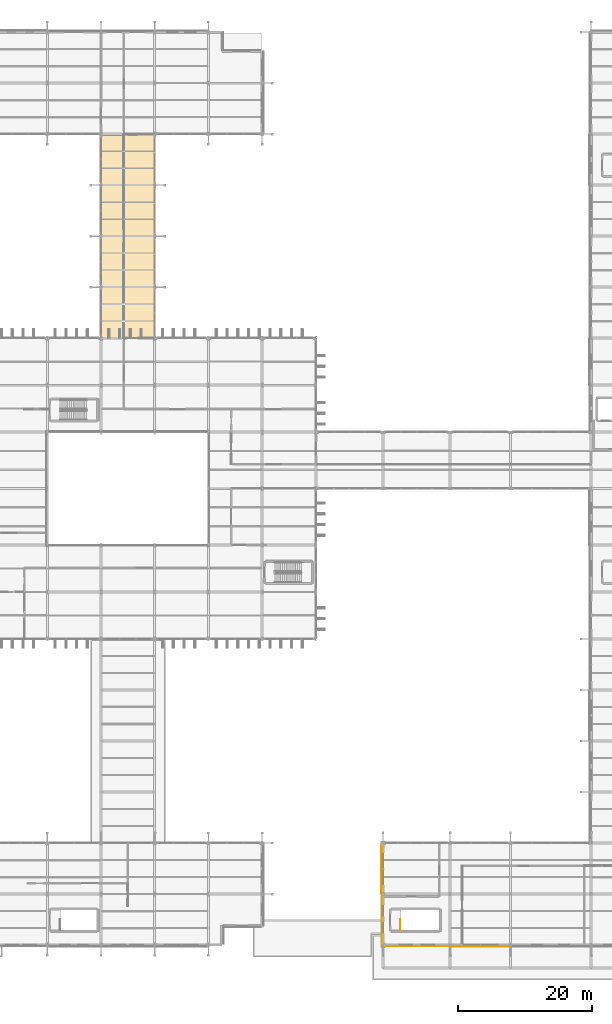
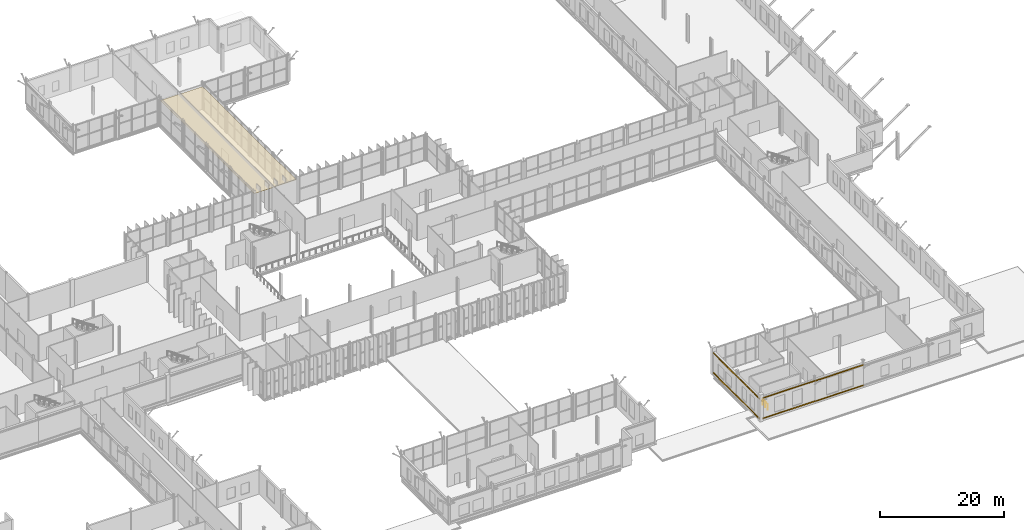
# One storey, part 141 of 147: 9 coverings, 1 railing.
"""IFC4 building model written with IfcOpenShell, lengths in metres."""

from ifc_helpers import new_model, si_unit, direction, frame, origin, origin_2d, place, context, subcontext, project, spatial, polyline, rectangle, circle, outline, extrude, material, layer, layer_set, type_object, element, save


model = new_model("IFC4")

# Units and contexts
model_context = context("Model", 3, precision=1e-05, world=origin(), true_north=direction((0.0, 1.0)))
body_context = subcontext(model_context, "Body", "Model", "MODEL_VIEW")
ifc_project = project(units=[si_unit("LENGTHUNIT", "METRE"), si_unit("AREAUNIT", "SQUARE_METRE"), si_unit("VOLUMEUNIT", "CUBIC_METRE"), si_unit("PLANEANGLEUNIT", "RADIAN"), si_unit("MASSUNIT", "GRAM", prefix="KILO")], contexts=[model_context])

# Site, building, storey
site_placement = place(None, origin())
site = spatial("IfcSite", under=ifc_project, at=site_placement, CompositionType="ELEMENT")
building_placement = place(site_placement, origin())
building = spatial("IfcBuilding", under=site, at=building_placement, Name="Vekula Escarpment Museum", CompositionType="ELEMENT")
storey_placement = place(building_placement, frame((0.0, 0.0, 7.800048828125)))
storey = spatial("IfcBuildingStorey", under=building, at=storey_placement, Name="L02", CompositionType="ELEMENT", Elevation=7.800048828125)

# Coverings
ifc_material_1 = material(Name="Polychrome limestone almasik string-course band", Category="masonry")
ifc_layer_1 = layer(ifc_material_1, 0.06005859375)
ifc_layer_set_1 = layer_set([ifc_layer_1], Name="Polychrome limestone almasik string-course band")
covering_type_1 = type_object("IfcCoveringType", Name="COV-ALM-BAND", PredefinedType="CLADDING", material=ifc_layer_set_1)
for number, where, z_axis, x_axis, name in (
    (1, (135.799072265625, 11.310546875, 0.41015625), (0.0, 0.0, 1.0), (0.0, 1.0, 0.0), "Almasik Stone String Course L02-0271"),
    (2, (135.799072265625, 11.310546875, 4.30517578125), (0.0, 0.0, 1.0), (0.0, 1.0, 0.0), "Almasik Stone String Course L02-0272"),
):
    element("IfcCovering", number, at=place(storey_placement, frame(where, z_axis=z_axis, x_axis=x_axis)), inside=storey, type_object=covering_type_1, Name=name, PredefinedType="CLADDING", context=body_context, shape_type="SweptSolid", body=[
        extrude(rectangle(XDim=7.301025390625, YDim=0.06005859375, at=origin_2d()), origin(), (0.0, 0.0, 1.0), 0.219970703125),
    ])
for number, where, z_axis, x_axis, name in (
    (3, (135.81396484375, 3.800048828125, 0.41015625), (0.0, 0.0, 1.0), (0.0, 1.0, 0.0), "Almasik Stone String Course L02-0273"),
    (4, (135.81396484375, 3.800048828125, 4.30517578125), (0.0, 0.0, 1.0), (0.0, 1.0, 0.0), "Almasik Stone String Course L02-0274"),
):
    element("IfcCovering", number, at=place(storey_placement, frame(where, z_axis=z_axis, x_axis=x_axis)), inside=storey, type_object=covering_type_1, Name=name, PredefinedType="CLADDING", context=body_context, shape_type="SweptSolid", body=[
        extrude(rectangle(XDim=7.47998046875, YDim=0.06005859375, at=origin_2d()), origin(), (0.0, 0.0, 1.0), 0.219970703125),
    ])
for number, where, z_axis, x_axis, name in (
    (5, (141.08203125, -0.176025390625, 0.41015625), (0.0, 0.0, 1.0), (1.0, 0.0, 0.0), "Almasik Stone String Course L02-0275"),
    (6, (141.08203125, -0.176025390625, 4.4150390625), (0.0, 0.0, 1.0), (1.0, 0.0, 0.0), "Almasik Stone String Course L02-0276"),
):
    element("IfcCovering", number, at=place(storey_placement, frame(where, z_axis=z_axis, x_axis=x_axis)), inside=storey, type_object=covering_type_1, Name=name, PredefinedType="CLADDING", context=body_context, shape_type="SweptSolid", body=[
        extrude(rectangle(XDim=9.716064453125, YDim=0.06005859375, at=origin_2d()), origin(), (0.0, 0.0, 1.0), 0.219970703125),
    ])
for number, where, z_axis, x_axis, name in (
    (7, (150.5, -0.216064453125, 0.41015625), (0.0, 0.0, 1.0), (1.0, 0.0, 0.0), "Almasik Stone String Course L02-0277"),
    (8, (150.5, -0.216064453125, 4.4150390625), (0.0, 0.0, 1.0), (1.0, 0.0, 0.0), "Almasik Stone String Course L02-0278"),
):
    element("IfcCovering", number, at=place(storey_placement, frame(where, z_axis=z_axis, x_axis=x_axis)), inside=storey, type_object=covering_type_1, Name=name, PredefinedType="CLADDING", context=body_context, shape_type="SweptSolid", body=[
        extrude(rectangle(XDim=8.8798828125, YDim=0.06005859375, at=origin_2d()), origin(), (0.0, 0.0, 1.0), 0.219970703125),
    ])
ifc_material_2 = material(Name="Mineral-fibre museum baffle ceiling", Category="gypsum")
ifc_layer_2 = layer(ifc_material_2, 0.070068359375)
ifc_layer_set_2 = layer_set([ifc_layer_2], Name="Mineral-fibre museum baffle ceiling")
covering_type_2 = type_object("IfcCoveringType", Name="COV-CEIL-BAFF", PredefinedType="CEILING", material=ifc_layer_set_2)
covering_placement = place(storey_placement, frame((0.0, 0.0, 4.449951171875)))
element("IfcCovering", 9, at=covering_placement, inside=storey, type_object=covering_type_2, Name="Acoustic Gallery Ceiling L02-005", PredefinedType="CEILING", context=body_context, shape_type="SweptSolid", body=[
    extrude(outline(polyline([(94.10009765625, 90.5), (101.89990234375, 90.5), (101.89990234375, 120.699951171875), (94.10009765625, 120.699951171875), (94.10009765625, 90.5)])), origin(), (0.0, 0.0, 1.0), 0.050048828125),
])

# Railing
ifc_material_3 = material(Name="Painted Steel S355 stair guard", Category="steel")
railing_type = type_object("IfcRailingType", Name="RL-STAIR-GUARD", PredefinedType="GUARDRAIL", material=ifc_material_3)
railing_placement = place(storey_placement, frame((138.570068359375, 2.199951171875, 0.0)))
element("IfcRailing", 10, at=railing_placement, inside=storey, type_object=railing_type, Name="L02 ST-06 top well guard 1", PredefinedType="GUARDRAIL", context=body_context, shape_type="SweptSolid", body=[
    extrude(circle(Radius=0.02392578125, at=origin_2d()), frame((0.0, 0.0, 1.076171875), z_axis=(0.0, 1.0, 0.0), x_axis=(-1.0, 0.0, 0.0)), (0.0, 0.0, 1.0), 1.6201171875),
    extrude(circle(Radius=0.02099609375, at=origin_2d()), origin(), (0.0, 0.0, 1.0), 1.052001953125),
    extrude(circle(Radius=0.02099609375, at=origin_2d()), frame((0.0, 0.81005859375, 0.0)), (0.0, 0.0, 1.0), 1.052001953125),
    extrude(circle(Radius=0.02099609375, at=origin_2d()), frame((0.0, 1.6201171875, 0.0)), (0.0, 0.0, 1.0), 1.052001953125),
])

save(model, "model.ifc")
